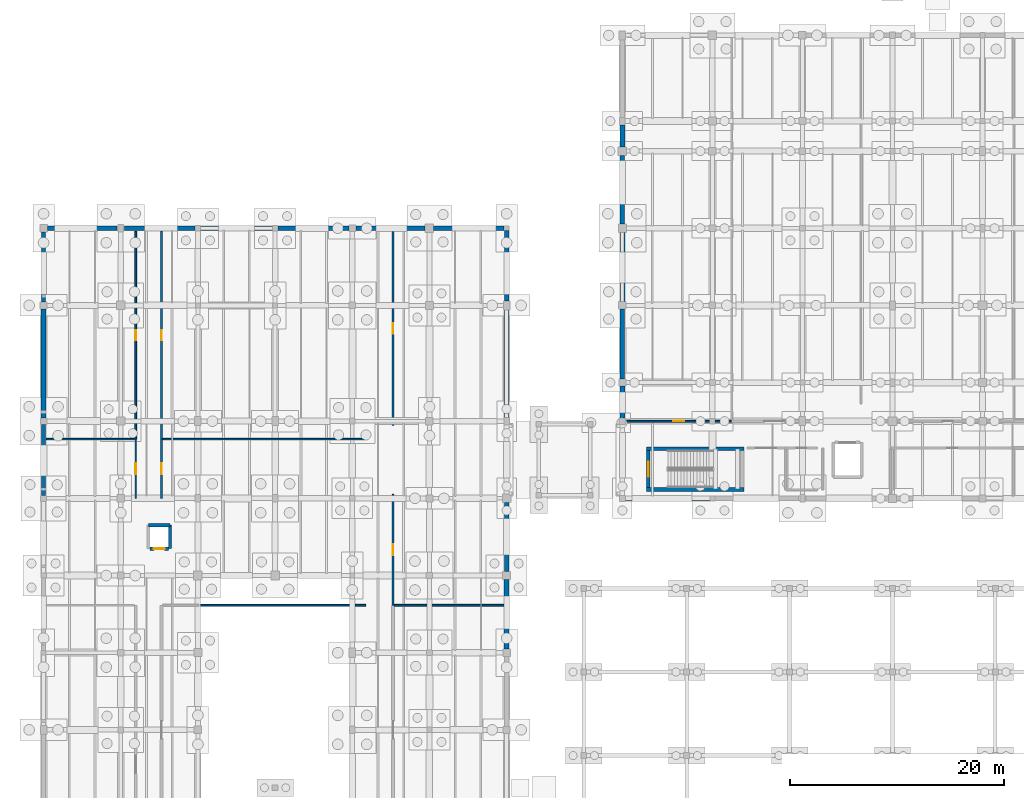
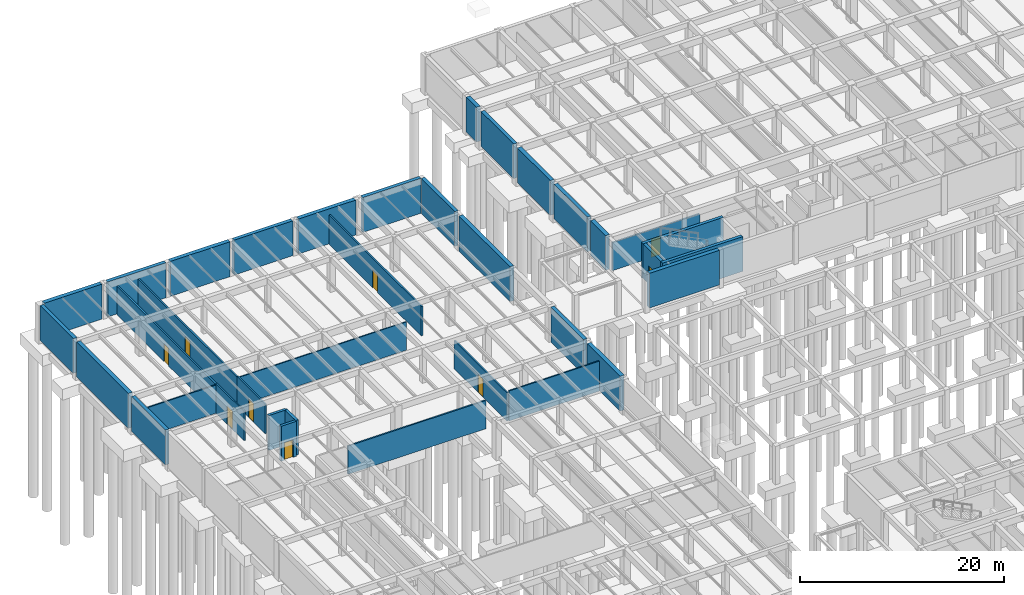
# One storey, part 44 of 63: 36 walls, 9 doors, 9 openings.
"""IFC4 building model written with IfcOpenShell, lengths in metres."""

from ifc_helpers import new_model, si_unit, direction, frame, frame_2d, origin, place, context, subcontext, project, spatial, rectangle, extrude, material, layer, layer_set, type_object, element, fill, save


model = new_model("IFC4")

# Units and contexts
model_context = context("Model", 3, precision=1e-05, world=origin(), true_north=direction((0.0, 1.0)))
body_context = subcontext(model_context, "Body", "Model", "MODEL_VIEW")
ifc_project = project(units=[si_unit("LENGTHUNIT", "METRE"), si_unit("AREAUNIT", "SQUARE_METRE"), si_unit("VOLUMEUNIT", "CUBIC_METRE"), si_unit("PLANEANGLEUNIT", "RADIAN"), si_unit("MASSUNIT", "GRAM", prefix="KILO")], contexts=[model_context])

# Site, building, storey
site_placement = place(None, origin())
site = spatial("IfcSite", under=ifc_project, at=site_placement, CompositionType="ELEMENT")
building_placement = place(site_placement, origin())
building = spatial("IfcBuilding", under=site, at=building_placement, Name="Mazaris Harbour Polytechnic", CompositionType="ELEMENT")
storey_placement = place(building_placement, frame((0.0, 0.0, -4.5)))
storey = spatial("IfcBuildingStorey", under=building, at=storey_placement, Name="B1", CompositionType="ELEMENT", Elevation=-4.5)

# Walls
ifc_material_1 = material(Name="Gypsum Board and Mineral Wool")
ifc_layer_1 = layer(ifc_material_1, 0.1201171875, Name="Gypsum Board and Mineral Wool")
ifc_layer_set_1 = layer_set([ifc_layer_1], Name="Gypsum Board and Mineral Wool")
wall_type_1 = type_object("IfcWallType", Name="Acoustic Stud Partition 120", PredefinedType="PARTITIONING", material=ifc_layer_set_1)
wall_1_placement = place(storey_placement, frame((11.1201171875, 81.125, 0.0), z_axis=(0.0, 0.0, 1.0), x_axis=(1.0, 0.0, 0.0)))
element("IfcWall", 1, at=wall_1_placement, inside=storey, type_object=wall_type_1, Name="V4 B1 Partition 270", PredefinedType="PARTITIONING", context=body_context, shape_type="SweptSolid", body=[
    extrude(rectangle(XDim=18.9599609375, YDim=0.1201171875, at=frame_2d((9.47998046875, 0.0))), origin(), (0.0, 0.0, 1.0), 3.3798828125),
])
ifc_material_2 = material(Name="Double Gypsum and Mineral Wool")
ifc_layer_2 = layer(ifc_material_2, 0.14990234375, Name="Double Gypsum and Mineral Wool")
ifc_layer_set_2 = layer_set([ifc_layer_2], Name="Double Gypsum and Mineral Wool")
wall_type_2 = type_object("IfcWallType", Name="Classroom Acoustic Partition 150", PredefinedType="PARTITIONING", material=ifc_layer_set_2)
wall_2_placement = place(storey_placement, frame((0.25, 81.125, 0.0), z_axis=(0.0, 0.0, 1.0), x_axis=(1.0, 0.0, 0.0)))
element("IfcWall", 2, at=wall_2_placement, inside=storey, type_object=wall_type_2, Name="V4 B1 Partition 260", PredefinedType="PARTITIONING", context=body_context, shape_type="SweptSolid", body=[
    extrude(rectangle(XDim=8.22998046875, YDim=0.14990234375, at=frame_2d((4.114990234375, 0.0))), origin(), (0.0, 0.0, 1.0), 3.3798828125),
])
wall_3_placement = place(storey_placement, frame((32.72998046875, 65.625, 0.0), z_axis=(0.0, 0.0, 1.0), x_axis=(1.0, 0.0, 0.0)))
element("IfcWall", 3, at=wall_3_placement, inside=storey, type_object=wall_type_2, Name="V4 B1 Partition 276", PredefinedType="PARTITIONING", context=body_context, shape_type="SweptSolid", body=[
    extrude(rectangle(XDim=10.219970703125, YDim=0.14990234375, at=frame_2d((5.10986328125, 0.0))), origin(), (0.0, 0.0, 1.0), 3.580078125),
])

# Wall, opening, door
ifc_material_3 = material(Name="Terracotta Block and Plaster", Category="masonry")
ifc_layer_3 = layer(ifc_material_3, 0.179931640625, Name="Terracotta Block and Plaster")
ifc_layer_set_3 = layer_set([ifc_layer_3], Name="Terracotta Block and Plaster")
wall_type_3 = type_object("IfcWallType", Name="Corridor Fire Partition 180", PredefinedType="PARTITIONING", material=ifc_layer_set_3)
wall_4_placement = place(storey_placement, frame((8.60009765625, 81.1298828125, 0.0), z_axis=(0.0, 0.0, 1.0), x_axis=(0.0, 1.0, 0.0)))
wall_4 = element("IfcWall", 4, at=wall_4_placement, inside=storey, type_object=wall_type_3, Name="V4 B1 Partition 261", PredefinedType="PARTITIONING", context=body_context, shape_type="SweptSolid", body=[
    extrude(rectangle(XDim=19.3701171875, YDim=0.179931640625, at=frame_2d((9.68505859375, 0.0))), origin(), (0.0, 0.0, 1.0), 3.429931640625),
])
opening_1_placement = place(wall_4_placement, frame((9.205078125, 0.0, 0.0)))
opening_1 = element("IfcOpeningElement", 5, at=opening_1_placement, cuts=wall_4, Name="Opening ID-01R", PredefinedType="OPENING", context=body_context, shape_type="SweptSolid", body=[
    extrude(rectangle(XDim=0.9599609375, YDim=2.14990234375, at=frame_2d((0.47998046875, 1.074951171875))), frame((0.0, 0.099853515625, 0.0), z_axis=(0.0, -1.0, 0.0), x_axis=(1.0, 0.0, 0.0)), (0.0, 0.0, 1.0), 0.199951171875),
])
ifc_material_4 = material(Name="Solid Oak Timber", Category="wood")
door_type_1 = type_object("IfcDoorType", Name="Classroom Single Door RH 960x2150", OperationType="SINGLE_SWING_RIGHT", PredefinedType="DOOR", material=ifc_material_4)
door_1_placement = place(opening_1_placement, origin())
door_1 = element("IfcDoor", 6, at=door_1_placement, inside=storey, type_object=door_type_1, Name="ID-0118", OperationType="SINGLE_SWING_RIGHT", OverallHeight=2.14990234375, OverallWidth=0.9599609375, PredefinedType="DOOR", context=body_context, shape_type="SweptSolid", body=[
    extrude(rectangle(XDim=0.9599609375, YDim=2.14990234375, at=frame_2d((0.47998046875, 1.074951171875))), frame((0.0, 0.02490234375, 0.0), z_axis=(0.0, -1.0, 0.0), x_axis=(1.0, 0.0, 0.0)), (0.0, 0.0, 1.0), 0.050048828125),
])
fill(opening_1, door_1)

wall_5_placement = place(storey_placement, frame((11.0, 81.1298828125, 0.0), z_axis=(0.0, 0.0, 1.0), x_axis=(0.0, 1.0, 0.0)))
wall_5 = element("IfcWall", 7, at=wall_5_placement, inside=storey, type_object=wall_type_3, Name="V4 B1 Partition 271", PredefinedType="PARTITIONING", context=body_context, shape_type="SweptSolid", body=[
    extrude(rectangle(XDim=19.3701171875, YDim=0.179931640625, at=frame_2d((9.68505859375, 0.0))), origin(), (0.0, 0.0, 1.0), 3.429931640625),
])
opening_2_placement = place(wall_5_placement, frame((9.2099609375, 0.0, 0.0)))
opening_2 = element("IfcOpeningElement", 8, at=opening_2_placement, cuts=wall_5, Name="Opening ID-01L", PredefinedType="OPENING", context=body_context, shape_type="SweptSolid", body=[
    extrude(rectangle(XDim=0.949951171875, YDim=2.14990234375, at=frame_2d((0.47509765625, 1.074951171875))), frame((0.0, 0.099853515625, 0.0), z_axis=(0.0, -1.0, 0.0), x_axis=(1.0, 0.0, 0.0)), (0.0, 0.0, 1.0), 0.199951171875),
])
ifc_material_5 = material(Name="Solid Oak Timber", Category="wood")
door_type_2 = type_object("IfcDoorType", Name="Classroom Single Door LH 950x2150", OperationType="SINGLE_SWING_LEFT", PredefinedType="DOOR", material=ifc_material_5)
door_2_placement = place(opening_2_placement, origin())
door_2 = element("IfcDoor", 9, at=door_2_placement, inside=storey, type_object=door_type_2, Name="ID-0123", OperationType="SINGLE_SWING_LEFT", OverallHeight=2.14990234375, OverallWidth=0.949951171875, PredefinedType="DOOR", context=body_context, shape_type="SweptSolid", body=[
    extrude(rectangle(XDim=0.949951171875, YDim=2.14990234375, at=frame_2d((0.47509765625, 1.074951171875))), frame((0.0, 0.02490234375, 0.0), z_axis=(0.0, -1.0, 0.0), x_axis=(1.0, 0.0, 0.0)), (0.0, 0.0, 1.0), 0.050048828125),
])
fill(opening_2, door_2)

wall_6_placement = place(storey_placement, frame((32.60009765625, 82.419921875, 0.0), z_axis=(0.0, 0.0, 1.0), x_axis=(0.0, 1.0, 0.0)))
wall_6 = element("IfcWall", 10, at=wall_6_placement, inside=storey, type_object=wall_type_3, Name="V4 B1 Partition 278", PredefinedType="PARTITIONING", context=body_context, shape_type="SweptSolid", body=[
    extrude(rectangle(XDim=18.080078125, YDim=0.179931640625, at=frame_2d((9.0400390625, 0.0))), origin(), (0.0, 0.0, 1.0), 3.530029296875),
])
opening_3_placement = place(wall_6_placement, frame((8.56005859375, 0.0, 0.0)))
opening_3 = element("IfcOpeningElement", 11, at=opening_3_placement, cuts=wall_6, Name="Opening ID-01R", PredefinedType="OPENING", context=body_context, shape_type="SweptSolid", body=[
    extrude(rectangle(XDim=0.9599609375, YDim=2.14990234375, at=frame_2d((0.47998046875, 1.074951171875))), frame((0.0, 0.099853515625, 0.0), z_axis=(0.0, -1.0, 0.0), x_axis=(1.0, 0.0, 0.0)), (0.0, 0.0, 1.0), 0.199951171875),
])
door_3_placement = place(opening_3_placement, origin())
door_3 = element("IfcDoor", 12, at=door_3_placement, inside=storey, type_object=door_type_1, Name="ID-0128", OperationType="SINGLE_SWING_RIGHT", OverallHeight=2.14990234375, OverallWidth=0.9599609375, PredefinedType="DOOR", context=body_context, shape_type="SweptSolid", body=[
    extrude(rectangle(XDim=0.9599609375, YDim=2.14990234375, at=frame_2d((0.47998046875, 1.074951171875))), frame((0.0, 0.02490234375, 0.0), z_axis=(0.0, -1.0, 0.0), x_axis=(1.0, 0.0, 0.0)), (0.0, 0.0, 1.0), 0.050048828125),
])
fill(opening_3, door_3)

ifc_material_6 = material(Name="Fireboard and Mineral Wool")
ifc_layer_4 = layer(ifc_material_6, 0.1650390625, Name="Fireboard and Mineral Wool")
ifc_layer_set_4 = layer_set([ifc_layer_4], Name="Fireboard and Mineral Wool")
wall_type_4 = type_object("IfcWallType", Name="Laboratory Rated Partition 165", PredefinedType="PARTITIONING", material=ifc_layer_set_4)
wall_7_placement = place(storey_placement, frame((54.300048828125, 82.800048828125, 0.0), z_axis=(0.0, 0.0, 1.0), x_axis=(1.0, 0.0, 0.0)))
wall_7 = element("IfcWall", 13, at=wall_7_placement, inside=storey, type_object=wall_type_4, Name="V1 B1 Partition 11", PredefinedType="PARTITIONING", context=body_context, shape_type="SweptSolid", body=[
    extrude(rectangle(XDim=9.89794921875, YDim=0.1650390625, at=frame_2d((4.948974609375, 0.0))), origin(), (0.0, 0.0, 1.0), 3.35009765625),
])
opening_4_placement = place(wall_7_placement, frame((4.424072265625, 0.0, 0.0)))
opening_4 = element("IfcOpeningElement", 14, at=opening_4_placement, cuts=wall_7, Name="Opening ID-02L", PredefinedType="OPENING", context=body_context, shape_type="SweptSolid", body=[
    extrude(rectangle(XDim=1.050048828125, YDim=2.199951171875, at=frame_2d((0.52490234375, 1.10009765625))), frame((0.0, 0.092529296875, 0.0), z_axis=(0.0, -1.0, 0.0), x_axis=(1.0, 0.0, 0.0)), (0.0, 0.0, 1.0), 0.18505859375),
])
ifc_material_7 = material(Name="Solid Timber and Vision Panel", Category="wood")
door_type_3 = type_object("IfcDoorType", Name="Laboratory Fire Door LH 1050x2200", OperationType="SINGLE_SWING_LEFT", PredefinedType="DOOR", material=ifc_material_7)
door_4_placement = place(opening_4_placement, origin())
door_4 = element("IfcDoor", 15, at=door_4_placement, inside=storey, type_object=door_type_3, Name="ID-0005", OperationType="SINGLE_SWING_LEFT", OverallHeight=2.199951171875, OverallWidth=1.050048828125, PredefinedType="DOOR", context=body_context, shape_type="SweptSolid", body=[
    extrude(rectangle(XDim=1.050048828125, YDim=2.199951171875, at=frame_2d((0.52490234375, 1.10009765625))), frame((0.0, 0.02490234375, 0.0), z_axis=(0.0, -1.0, 0.0), x_axis=(1.0, 0.0, 0.0)), (0.0, 0.0, 1.0), 0.050048828125),
])
fill(opening_4, door_4)

wall_8_placement = place(storey_placement, frame((8.60009765625, 75.60498046875, 0.0), z_axis=(0.0, 0.0, 1.0), x_axis=(0.0, 1.0, 0.0)))
wall_8 = element("IfcWall", 16, at=wall_8_placement, inside=storey, type_object=wall_type_4, Name="V4 B1 Partition 259", PredefinedType="PARTITIONING", context=body_context, shape_type="SweptSolid", body=[
    extrude(rectangle(XDim=5.52001953125, YDim=0.1650390625, at=frame_2d((2.760009765625, 0.0))), origin(), (0.0, 0.0, 1.0), 3.530029296875),
])
opening_5_placement = place(wall_8_placement, frame((2.235107421875, 0.0, 0.0)))
opening_5 = element("IfcOpeningElement", 17, at=opening_5_placement, cuts=wall_8, Name="Opening ID-02L", PredefinedType="OPENING", context=body_context, shape_type="SweptSolid", body=[
    extrude(rectangle(XDim=1.050048828125, YDim=2.199951171875, at=frame_2d((0.52490234375, 1.10009765625))), frame((0.0, 0.092529296875, 0.0), z_axis=(0.0, -1.0, 0.0), x_axis=(1.0, 0.0, 0.0)), (0.0, 0.0, 1.0), 0.18505859375),
])
door_5_placement = place(opening_5_placement, origin())
door_5 = element("IfcDoor", 18, at=door_5_placement, inside=storey, type_object=door_type_3, Name="ID-0117", OperationType="SINGLE_SWING_LEFT", OverallHeight=2.199951171875, OverallWidth=1.050048828125, PredefinedType="DOOR", context=body_context, shape_type="SweptSolid", body=[
    extrude(rectangle(XDim=1.050048828125, YDim=2.199951171875, at=frame_2d((0.52490234375, 1.10009765625))), frame((0.0, 0.02490234375, 0.0), z_axis=(0.0, -1.0, 0.0), x_axis=(1.0, 0.0, 0.0)), (0.0, 0.0, 1.0), 0.050048828125),
])
fill(opening_5, door_5)

wall_9_placement = place(storey_placement, frame((11.0, 75.60498046875, 0.0), z_axis=(0.0, 0.0, 1.0), x_axis=(0.0, 1.0, 0.0)))
wall_9 = element("IfcWall", 19, at=wall_9_placement, inside=storey, type_object=wall_type_4, Name="V4 B1 Partition 268", PredefinedType="PARTITIONING", context=body_context, shape_type="SweptSolid", body=[
    extrude(rectangle(XDim=5.52001953125, YDim=0.1650390625, at=frame_2d((2.760009765625, 0.0))), origin(), (0.0, 0.0, 1.0), 3.530029296875),
])
opening_6_placement = place(wall_9_placement, frame((2.22998046875, 0.0, 0.0)))
opening_6 = element("IfcOpeningElement", 20, at=opening_6_placement, cuts=wall_9, Name="Opening ID-02R", PredefinedType="OPENING", context=body_context, shape_type="SweptSolid", body=[
    extrude(rectangle(XDim=1.06005859375, YDim=2.199951171875, at=frame_2d((0.530029296875, 1.10009765625))), frame((0.0, 0.092529296875, 0.0), z_axis=(0.0, -1.0, 0.0), x_axis=(1.0, 0.0, 0.0)), (0.0, 0.0, 1.0), 0.18505859375),
])
ifc_material_8 = material(Name="Solid Timber and Vision Panel", Category="wood")
door_type_4 = type_object("IfcDoorType", Name="Laboratory Fire Door RH 1060x2200", OperationType="SINGLE_SWING_RIGHT", PredefinedType="DOOR", material=ifc_material_8)
door_6_placement = place(opening_6_placement, origin())
door_6 = element("IfcDoor", 21, at=door_6_placement, inside=storey, type_object=door_type_4, Name="ID-0122", OperationType="SINGLE_SWING_RIGHT", OverallHeight=2.199951171875, OverallWidth=1.06005859375, PredefinedType="DOOR", context=body_context, shape_type="SweptSolid", body=[
    extrude(rectangle(XDim=1.06005859375, YDim=2.199951171875, at=frame_2d((0.530029296875, 1.10009765625))), frame((0.0, 0.02490234375, 0.0), z_axis=(0.0, -1.0, 0.0), x_axis=(1.0, 0.0, 0.0)), (0.0, 0.0, 1.0), 0.050048828125),
])
fill(opening_6, door_6)

# Wall
wall_10_placement = place(storey_placement, frame((14.485107421875, 65.625, 0.0), z_axis=(0.0, 0.0, 1.0), x_axis=(1.0, 0.0, 0.0)))
element("IfcWall", 22, at=wall_10_placement, inside=storey, type_object=wall_type_4, Name="V4 B1 Partition 269", PredefinedType="PARTITIONING", context=body_context, shape_type="SweptSolid", body=[
    extrude(rectangle(XDim=15.594970703125, YDim=0.1650390625, at=frame_2d((7.79736328125, 0.0))), origin(), (0.0, 0.0, 1.0), 3.3798828125),
])

# Wall, opening, door
wall_11_placement = place(storey_placement, frame((32.60009765625, 65.6298828125, 0.0), z_axis=(0.0, 0.0, 1.0), x_axis=(0.0, 1.0, 0.0)))
wall_11 = element("IfcWall", 23, at=wall_11_placement, inside=storey, type_object=wall_type_4, Name="V4 B1 Partition 277", PredefinedType="PARTITIONING", context=body_context, shape_type="SweptSolid", body=[
    extrude(rectangle(XDim=10.35009765625, YDim=0.1650390625, at=frame_2d((5.175048828125, 0.0))), origin(), (0.0, 0.0, 1.0), 3.3798828125),
])
opening_7_placement = place(wall_11_placement, frame((4.64990234375, 0.0, 0.0)))
opening_7 = element("IfcOpeningElement", 24, at=opening_7_placement, cuts=wall_11, Name="Opening ID-02L", PredefinedType="OPENING", context=body_context, shape_type="SweptSolid", body=[
    extrude(rectangle(XDim=1.050048828125, YDim=2.199951171875, at=frame_2d((0.52490234375, 1.10009765625))), frame((0.0, 0.092529296875, 0.0), z_axis=(0.0, -1.0, 0.0), x_axis=(1.0, 0.0, 0.0)), (0.0, 0.0, 1.0), 0.18505859375),
])
door_7_placement = place(opening_7_placement, origin())
door_7 = element("IfcDoor", 25, at=door_7_placement, inside=storey, type_object=door_type_3, Name="ID-0127", OperationType="SINGLE_SWING_LEFT", OverallHeight=2.199951171875, OverallWidth=1.050048828125, PredefinedType="DOOR", context=body_context, shape_type="SweptSolid", body=[
    extrude(rectangle(XDim=1.050048828125, YDim=2.199951171875, at=frame_2d((0.52490234375, 1.10009765625))), frame((0.0, 0.02490234375, 0.0), z_axis=(0.0, -1.0, 0.0), x_axis=(1.0, 0.0, 0.0)), (0.0, 0.0, 1.0), 0.050048828125),
])
fill(opening_7, door_7)

# Walls
ifc_material_9 = material(Name="Concrete C35/45", Category="concrete")
ifc_layer_5 = layer(ifc_material_9, 0.39990234375, Name="Concrete C35/45")
ifc_layer_set_5 = layer_set([ifc_layer_5], Name="Concrete C35/45")
wall_type_5 = type_object("IfcWallType", Name="RC Basement Retaining Wall 400", PredefinedType="USERDEFINED", material=ifc_layer_set_5)
wall_12_placement = place(storey_placement, frame((54.0, 86.72509765625, 0.0), z_axis=(0.0, 0.0, 1.0), x_axis=(0.0, 1.0, 0.0)))
element("IfcWall", 26, at=wall_12_placement, inside=storey, type_object=wall_type_5, Name="V1 B1 Retaining Wall 16", ObjectType="RETAINING WALL", PredefinedType="USERDEFINED", context=body_context, shape_type="SweptSolid", body=[
    extrude(rectangle(XDim=6.52490234375, YDim=0.39990234375, at=frame_2d((3.262451171875, 0.0))), origin(), (0.0, 0.0, 1.0), 4.14990234375),
])
wall_13_placement = place(storey_placement, frame((54.0, 101.175048828125, 0.0), z_axis=(0.0, 0.0, 1.0), x_axis=(0.0, 1.0, 0.0)))
element("IfcWall", 27, at=wall_13_placement, inside=storey, type_object=wall_type_5, Name="V1 B1 Retaining Wall 18", ObjectType="RETAINING WALL", PredefinedType="USERDEFINED", context=body_context, shape_type="SweptSolid", body=[
    extrude(rectangle(XDim=6.425048828125, YDim=0.39990234375, at=frame_2d((3.21240234375, 0.0))), origin(), (0.0, 0.0, 1.0), 4.14990234375),
])
wall_14_placement = place(storey_placement, frame((7.550048828125, 100.800048828125, 0.0), z_axis=(0.0, 0.0, 1.0), x_axis=(1.0, 0.0, 0.0)))
element("IfcWall", 28, at=wall_14_placement, inside=storey, type_object=wall_type_5, Name="V4 B1 Retaining Wall 76", ObjectType="RETAINING WALL", PredefinedType="USERDEFINED", context=body_context, shape_type="SweptSolid", body=[
    extrude(rectangle(XDim=6.599853515625, YDim=0.39990234375, at=frame_2d((3.2998046875, 0.0))), origin(), (0.0, 0.0, 1.0), 4.179931640625),
])
wall_15_placement = place(storey_placement, frame((21.85009765625, 100.800048828125, 0.0), z_axis=(0.0, 0.0, 1.0), x_axis=(1.0, 0.0, 0.0)))
element("IfcWall", 29, at=wall_15_placement, inside=storey, type_object=wall_type_5, Name="V4 B1 Retaining Wall 78", ObjectType="RETAINING WALL", PredefinedType="USERDEFINED", context=body_context, shape_type="SweptSolid", body=[
    extrude(rectangle(XDim=6.625, YDim=0.39990234375, at=frame_2d((3.3125, 0.0))), origin(), (0.0, 0.0, 1.0), 4.179931640625),
])
wall_16_placement = place(storey_placement, frame((36.39990234375, 100.800048828125, 0.0), z_axis=(0.0, 0.0, 1.0), x_axis=(1.0, 0.0, 0.0)))
element("IfcWall", 30, at=wall_16_placement, inside=storey, type_object=wall_type_5, Name="V4 B1 Retaining Wall 80", ObjectType="RETAINING WALL", PredefinedType="USERDEFINED", context=body_context, shape_type="SweptSolid", body=[
    extrude(rectangle(XDim=6.5751953125, YDim=0.39990234375, at=frame_2d((3.28759765625, 0.0))), origin(), (0.0, 0.0, 1.0), 4.179931640625),
])
wall_17_placement = place(storey_placement, frame((0.0, 75.875, 0.0), z_axis=(0.0, 0.0, 1.0), x_axis=(0.0, 1.0, 0.0)))
element("IfcWall", 31, at=wall_17_placement, inside=storey, type_object=wall_type_5, Name="V4 B1 Retaining Wall 90", ObjectType="RETAINING WALL", PredefinedType="USERDEFINED", context=body_context, shape_type="SweptSolid", body=[
    extrude(rectangle(XDim=6.625, YDim=0.39990234375, at=frame_2d((3.3125, 0.0))), origin(), (0.0, 0.0, 1.0), 4.179931640625),
])
wall_18_placement = place(storey_placement, frame((0.0, 93.925048828125, 0.0), z_axis=(0.0, 0.0, 1.0), x_axis=(0.0, 1.0, 0.0)))
element("IfcWall", 32, at=wall_18_placement, inside=storey, type_object=wall_type_5, Name="V4 B1 Retaining Wall 92", ObjectType="RETAINING WALL", PredefinedType="USERDEFINED", context=body_context, shape_type="SweptSolid", body=[
    extrude(rectangle(XDim=6.52490234375, YDim=0.39990234375, at=frame_2d((3.262451171875, 0.0))), origin(), (0.0, 0.0, 1.0), 4.179931640625),
])
wall_19_placement = place(storey_placement, frame((43.199951171875, 68.77490234375, 0.0), z_axis=(0.0, 0.0, 1.0), x_axis=(0.0, 1.0, 0.0)))
element("IfcWall", 33, at=wall_19_placement, inside=storey, type_object=wall_type_5, Name="V4 B1 Retaining Wall 100", ObjectType="RETAINING WALL", PredefinedType="USERDEFINED", context=body_context, shape_type="SweptSolid", body=[
    extrude(rectangle(XDim=6.425048828125, YDim=0.39990234375, at=frame_2d((3.21240234375, 0.0))), origin(), (0.0, 0.0, 1.0), 4.179931640625),
])
wall_20_placement = place(storey_placement, frame((43.199951171875, 94.02490234375, 0.0), z_axis=(0.0, 0.0, 1.0), x_axis=(0.0, 1.0, 0.0)))
element("IfcWall", 34, at=wall_20_placement, inside=storey, type_object=wall_type_5, Name="V4 B1 Retaining Wall 102", ObjectType="RETAINING WALL", PredefinedType="USERDEFINED", context=body_context, shape_type="SweptSolid", body=[
    extrude(rectangle(XDim=6.550048828125, YDim=0.39990234375, at=frame_2d((3.27490234375, 0.0))), origin(), (0.0, 0.0, 1.0), 4.179931640625),
])
ifc_material_10 = material(Name="Concrete C35/45", Category="concrete")
ifc_layer_6 = layer(ifc_material_10, 0.449951171875, Name="Concrete C35/45")
ifc_layer_set_6 = layer_set([ifc_layer_6], Name="Concrete C35/45")
wall_type_6 = type_object("IfcWallType", Name="RC Basement Retaining Wall 450", PredefinedType="USERDEFINED", material=ifc_layer_set_6)
wall_21_placement = place(storey_placement, frame((54.27490234375, 75.60009765625, 0.0), z_axis=(0.0, 0.0, 1.0), x_axis=(1.0, 0.0, 0.0)))
element("IfcWall", 35, at=wall_21_placement, inside=storey, type_object=wall_type_6, Name="V1 B1 Retaining Wall 1", ObjectType="RETAINING WALL", PredefinedType="USERDEFINED", context=body_context, shape_type="SweptSolid", body=[
    extrude(rectangle(XDim=7.900146484375, YDim=0.449951171875, at=frame_2d((3.9501953125, 0.0))), origin(), (0.0, 0.0, 1.0), 4.14990234375),
])
wall_22_placement = place(storey_placement, frame((54.0, 83.10009765625, 0.0), z_axis=(0.0, 0.0, 1.0), x_axis=(0.0, 1.0, 0.0)))
element("IfcWall", 36, at=wall_22_placement, inside=storey, type_object=wall_type_6, Name="V1 B1 Retaining Wall 15", ObjectType="RETAINING WALL", PredefinedType="USERDEFINED", context=body_context, shape_type="SweptSolid", body=[
    extrude(rectangle(XDim=2.974853515625, YDim=0.449951171875, at=frame_2d((1.4873046875, 0.0))), origin(), (0.0, 0.0, 1.0), 4.14990234375),
])
wall_23_placement = place(storey_placement, frame((54.0, 93.949951171875, 0.0), z_axis=(0.0, 0.0, 1.0), x_axis=(0.0, 1.0, 0.0)))
element("IfcWall", 37, at=wall_23_placement, inside=storey, type_object=wall_type_6, Name="V1 B1 Retaining Wall 17", ObjectType="RETAINING WALL", PredefinedType="USERDEFINED", context=body_context, shape_type="SweptSolid", body=[
    extrude(rectangle(XDim=6.47509765625, YDim=0.449951171875, at=frame_2d((3.237548828125, 0.0))), origin(), (0.0, 0.0, 1.0), 4.14990234375),
])
wall_24_placement = place(storey_placement, frame((54.0, 108.39990234375, 0.0), z_axis=(0.0, 0.0, 1.0), x_axis=(0.0, 1.0, 0.0)))
element("IfcWall", 38, at=wall_24_placement, inside=storey, type_object=wall_type_6, Name="V1 B1 Retaining Wall 19", ObjectType="RETAINING WALL", PredefinedType="USERDEFINED", context=body_context, shape_type="SweptSolid", body=[
    extrude(rectangle(XDim=2.050048828125, YDim=0.449951171875, at=frame_2d((1.02490234375, 0.0))), origin(), (0.0, 0.0, 1.0), 4.14990234375),
])
wall_25_placement = place(storey_placement, frame((0.35009765625, 100.800048828125, 0.0), z_axis=(0.0, 0.0, 1.0), x_axis=(1.0, 0.0, 0.0)))
element("IfcWall", 39, at=wall_25_placement, inside=storey, type_object=wall_type_6, Name="V4 B1 Retaining Wall 75", ObjectType="RETAINING WALL", PredefinedType="USERDEFINED", context=body_context, shape_type="SweptSolid", body=[
    extrude(rectangle(XDim=6.5, YDim=0.449951171875, at=frame_2d((3.25, 0.0))), origin(), (0.0, 0.0, 1.0), 4.179931640625),
])
wall_26_placement = place(storey_placement, frame((14.64990234375, 100.800048828125, 0.0), z_axis=(0.0, 0.0, 1.0), x_axis=(1.0, 0.0, 0.0)))
element("IfcWall", 40, at=wall_26_placement, inside=storey, type_object=wall_type_6, Name="V4 B1 Retaining Wall 77", ObjectType="RETAINING WALL", PredefinedType="USERDEFINED", context=body_context, shape_type="SweptSolid", body=[
    extrude(rectangle(XDim=6.7001953125, YDim=0.449951171875, at=frame_2d((3.35009765625, 0.0))), origin(), (0.0, 0.0, 1.0), 4.179931640625),
])
wall_27_placement = place(storey_placement, frame((29.125, 100.800048828125, 0.0), z_axis=(0.0, 0.0, 1.0), x_axis=(1.0, 0.0, 0.0)))
element("IfcWall", 41, at=wall_27_placement, inside=storey, type_object=wall_type_6, Name="V4 B1 Retaining Wall 79", ObjectType="RETAINING WALL", PredefinedType="USERDEFINED", context=body_context, shape_type="SweptSolid", body=[
    extrude(rectangle(XDim=6.47509765625, YDim=0.449951171875, at=frame_2d((3.237548828125, 0.0))), origin(), (0.0, 0.0, 1.0), 4.179931640625),
])
wall_28_placement = place(storey_placement, frame((0.0, 83.10009765625, 0.0), z_axis=(0.0, 0.0, 1.0), x_axis=(0.0, 1.0, 0.0)))
element("IfcWall", 42, at=wall_28_placement, inside=storey, type_object=wall_type_6, Name="V4 B1 Retaining Wall 91", ObjectType="RETAINING WALL", PredefinedType="USERDEFINED", context=body_context, shape_type="SweptSolid", body=[
    extrude(rectangle(XDim=10.1748046875, YDim=0.449951171875, at=frame_2d((5.08740234375, 0.0))), origin(), (0.0, 0.0, 1.0), 4.179931640625),
])
wall_29_placement = place(storey_placement, frame((43.199951171875, 61.550048828125, 0.0), z_axis=(0.0, 0.0, 1.0), x_axis=(0.0, 1.0, 0.0)))
element("IfcWall", 43, at=wall_29_placement, inside=storey, type_object=wall_type_6, Name="V4 B1 Retaining Wall 99", ObjectType="RETAINING WALL", PredefinedType="USERDEFINED", context=body_context, shape_type="SweptSolid", body=[
    extrude(rectangle(XDim=6.474853515625, YDim=0.449951171875, at=frame_2d((3.2373046875, 0.0))), origin(), (0.0, 0.0, 1.0), 4.179931640625),
])
wall_30_placement = place(storey_placement, frame((43.199951171875, 83.14990234375, 0.0), z_axis=(0.0, 0.0, 1.0), x_axis=(0.0, 1.0, 0.0)))
element("IfcWall", 44, at=wall_30_placement, inside=storey, type_object=wall_type_6, Name="V4 B1 Retaining Wall 101", ObjectType="RETAINING WALL", PredefinedType="USERDEFINED", context=body_context, shape_type="SweptSolid", body=[
    extrude(rectangle(XDim=10.025146484375, YDim=0.449951171875, at=frame_2d((5.0126953125, 0.0))), origin(), (0.0, 0.0, 1.0), 4.179931640625),
])
ifc_material_11 = material(Name="Concrete C40/50", Category="concrete")
ifc_layer_7 = layer(ifc_material_11, 0.35009765625, Name="Concrete C40/50")
ifc_layer_set_7 = layer_set([ifc_layer_7], Name="Concrete C40/50")
wall_type_7 = type_object("IfcWallType", Name="RC Core Shear Wall 350", PredefinedType="SHEAR", material=ifc_layer_set_7)
for number, where, z_axis, x_axis, name in (
    (45, (56.25, 76.425048828125, 0.0), (0.0, 0.0, 1.0), (1.0, 0.0, 0.0), "Core ST01 B1 Shear Wall S"),
    (46, (65.35009765625, 80.22509765625, 0.0), (0.0, 0.0, 1.0), (-1.0, 0.0, 0.0), "Core ST01 B1 Shear Wall N"),
):
    element("IfcWall", number, at=place(storey_placement, frame(where, z_axis=z_axis, x_axis=x_axis)), inside=storey, type_object=wall_type_7, Name=name, PredefinedType="SHEAR", context=body_context, shape_type="SweptSolid", body=[
        extrude(rectangle(XDim=9.10009765625, YDim=0.35009765625, at=frame_2d((4.550048828125, 0.0))), origin(), (0.0, 0.0, 1.0), 4.14990234375),
    ])

# Wall, opening, door
wall_31_placement = place(storey_placement, frame((56.425048828125, 80.050048828125, 0.0), z_axis=(0.0, 0.0, 1.0), x_axis=(0.0, -1.0, 0.0)))
wall_31 = element("IfcWall", 47, at=wall_31_placement, inside=storey, type_object=wall_type_7, Name="Core ST01 B1 Entrance Shear Wall", PredefinedType="SHEAR", context=body_context, shape_type="SweptSolid", body=[
    extrude(rectangle(XDim=3.449951171875, YDim=0.35009765625, at=frame_2d((1.72509765625, 0.0))), origin(), (0.0, 0.0, 1.0), 4.14990234375),
])
opening_8_placement = place(wall_31_placement, frame((1.034912109375, 0.0, 0.0)))
opening_8 = element("IfcOpeningElement", 48, at=opening_8_placement, cuts=wall_31, Name="Opening SD-01", PredefinedType="OPENING", context=body_context, shape_type="SweptSolid", body=[
    extrude(rectangle(XDim=1.3798828125, YDim=2.199951171875, at=frame_2d((0.68994140625, 1.10009765625))), frame((0.0, 0.18505859375, 0.0), z_axis=(0.0, -1.0, 0.0), x_axis=(1.0, 0.0, 0.0)), (0.0, 0.0, 1.0), 0.3701171875),
])
ifc_material_12 = material(Name="Glulam Timber and Fire Glass", Category="wood")
door_type_5 = type_object("IfcDoorType", Name="Protected Stair Lobby Fire Door 1380x2200", OperationType="DOUBLE_DOOR_SINGLE_SWING", PredefinedType="DOOR", material=ifc_material_12)
door_8_placement = place(opening_8_placement, origin())
door_8 = element("IfcDoor", 49, at=door_8_placement, inside=storey, type_object=door_type_5, Name="SD-001", OperationType="DOUBLE_DOOR_SINGLE_SWING", OverallHeight=2.199951171875, OverallWidth=1.3798828125, PredefinedType="DOOR", context=body_context, shape_type="SweptSolid", body=[
    extrude(rectangle(XDim=1.3798828125, YDim=2.199951171875, at=frame_2d((0.68994140625, 1.10009765625))), frame((0.0, 0.02490234375, 0.0), z_axis=(0.0, -1.0, 0.0), x_axis=(1.0, 0.0, 0.0)), (0.0, 0.0, 1.0), 0.050048828125),
])
fill(opening_8, door_8)

# Walls
ifc_material_13 = material(Name="Concrete C40/50", Category="concrete")
ifc_layer_8 = layer(ifc_material_13, 0.300048828125, Name="Concrete C40/50")
ifc_layer_set_8 = layer_set([ifc_layer_8], Name="Concrete C40/50")
wall_type_8 = type_object("IfcWallType", Name="RC Lift Shaft Wall 300", PredefinedType="SHEAR", material=ifc_layer_set_8)
wall_32_placement = place(storey_placement, frame((11.800048828125, 73.10009765625, 0.0), z_axis=(0.0, 0.0, 1.0), x_axis=(-1.0, 0.0, 0.0)))
element("IfcWall", 50, at=wall_32_placement, inside=storey, type_object=wall_type_8, Name="Lift LP-01 B1 North Shaft Wall", PredefinedType="SHEAR", context=body_context, shape_type="SweptSolid", body=[
    extrude(rectangle(XDim=2.0, YDim=0.300048828125, at=frame_2d((1.0, 0.0))), origin(), (0.0, 0.0, 1.0), 4.179931640625),
])
wall_33_placement = place(storey_placement, frame((11.800048828125, 70.89990234375, 0.0), z_axis=(0.0, 0.0, 1.0), x_axis=(0.0, 1.0, 0.0)))
element("IfcWall", 51, at=wall_33_placement, inside=storey, type_object=wall_type_8, Name="Lift LP-01 B1 East Shaft Wall", PredefinedType="SHEAR", context=body_context, shape_type="SweptSolid", body=[
    extrude(rectangle(XDim=2.2001953125, YDim=0.300048828125, at=frame_2d((1.10009765625, 0.0))), origin(), (0.0, 0.0, 1.0), 4.179931640625),
])

# Wall, opening, door
wall_34_placement = place(storey_placement, frame((11.659912109375, 70.89990234375, 0.0), z_axis=(0.0, 0.0, 1.0), x_axis=(-1.0, 0.0, 0.0)))
wall_34 = element("IfcWall", 52, at=wall_34_placement, inside=storey, type_object=wall_type_8, Name="Lift LP-01 B1 Front Shaft Wall", PredefinedType="SHEAR", context=body_context, shape_type="SweptSolid", body=[
    extrude(rectangle(XDim=1.719970703125, YDim=0.300048828125, at=frame_2d((0.85986328125, 0.0))), origin(), (0.0, 0.0, 1.0), 4.179931640625),
])
opening_9_placement = place(wall_34_placement, frame((0.360107421875, 0.0, 0.0)))
opening_9 = element("IfcOpeningElement", 53, at=opening_9_placement, cuts=wall_34, Name="Opening LD-01", PredefinedType="OPENING", context=body_context, shape_type="SweptSolid", body=[
    extrude(rectangle(XDim=1.0, YDim=2.10009765625, at=frame_2d((0.5, 1.050048828125))), frame((0.0, 0.159912109375, 0.0), z_axis=(0.0, -1.0, 0.0), x_axis=(1.0, 0.0, 0.0)), (0.0, 0.0, 1.0), 0.320068359375),
])
ifc_material_14 = material(Name="Stainless Steel S355", Category="steel")
door_type_6 = type_object("IfcDoorType", Name="Sliding Passenger Lift Landing Door 1000x2100", OperationType="SLIDING_TO_LEFT", PredefinedType="DOOR", material=ifc_material_14)
door_9_placement = place(opening_9_placement, origin())
door_9 = element("IfcDoor", 54, at=door_9_placement, inside=storey, type_object=door_type_6, Name="LD-014", OperationType="SLIDING_TO_LEFT", OverallHeight=2.10009765625, OverallWidth=1.0, PredefinedType="DOOR", context=body_context, shape_type="SweptSolid", body=[
    extrude(rectangle(XDim=1.0, YDim=2.10009765625, at=frame_2d((0.5, 1.050048828125))), frame((0.0, 0.02490234375, 0.0), z_axis=(0.0, -1.0, 0.0), x_axis=(1.0, 0.0, 0.0)), (0.0, 0.0, 1.0), 0.050048828125),
])
fill(opening_9, door_9)

save(model, "model.ifc")
